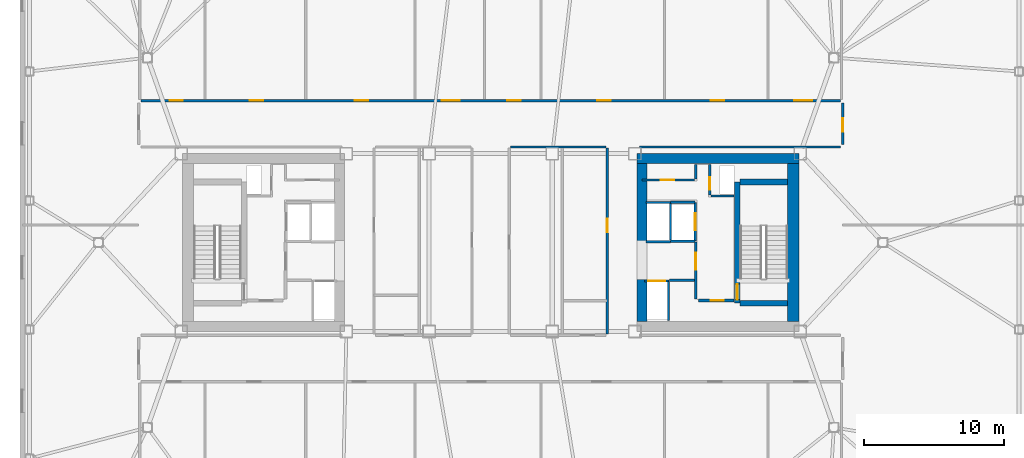
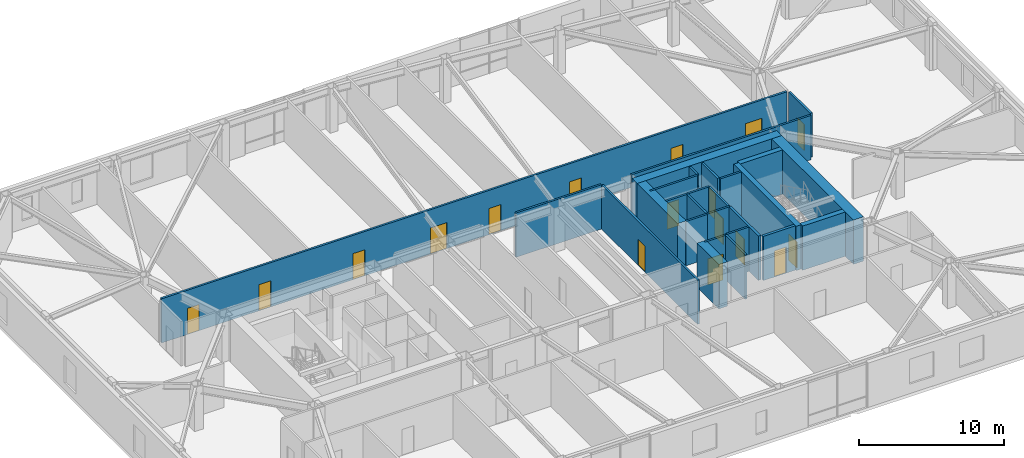
# One storey, part 12 of 18: 27 walls, 17 doors, 17 openings.
"""IFC4 building model written with IfcOpenShell, lengths in metres."""

from ifc_helpers import new_model, si_unit, direction, frame, frame_2d, origin, place, context, subcontext, project, spatial, rectangle, extrude, material, layer, layer_set, type_object, element, fill, save


model = new_model("IFC4")

# Units and contexts
model_context = context("Model", 3, precision=1e-05, world=origin(), true_north=direction((0.0, 1.0)))
body_context = subcontext(model_context, "Body", "Model", "MODEL_VIEW")
ifc_project = project(units=[si_unit("LENGTHUNIT", "METRE"), si_unit("AREAUNIT", "SQUARE_METRE"), si_unit("VOLUMEUNIT", "CUBIC_METRE"), si_unit("PLANEANGLEUNIT", "RADIAN"), si_unit("MASSUNIT", "GRAM", prefix="KILO")], contexts=[model_context])

# Site, building, storey
site_placement = place(None, origin())
site = spatial("IfcSite", under=ifc_project, at=site_placement, CompositionType="ELEMENT")
building_placement = place(site_placement, origin())
building = spatial("IfcBuilding", under=site, at=building_placement, Name="Tavrogorsk Clinical Tower", CompositionType="ELEMENT")
storey_placement = place(building_placement, frame((0.0, 0.0, 196.199951171875)))
storey = spatial("IfcBuildingStorey", under=building, at=storey_placement, Name="L45", CompositionType="ELEMENT", Elevation=196.199951171875)

# Wall, opening, door
ifc_material_1 = material(Name="Concrete B60", Category="concrete")
ifc_layer_1 = layer(ifc_material_1, 0.199951171875)
ifc_layer_set_1 = layer_set([ifc_layer_1], Name="Concrete B60")
wall_type_1 = type_object("IfcWallType", Name="CoreFireWall_200", PredefinedType="SOLIDWALL", material=ifc_layer_set_1)
wall_1_placement = place(storey_placement, frame((14.824951171875, -4.139892578125, 0.0), z_axis=(0.0, 0.0, 1.0), x_axis=(1.0, 0.0, 0.0)))
wall_1 = element("IfcWall", 1, at=wall_1_placement, inside=storey, type_object=wall_type_1, Name="L45 Core East South Core Room Fire Wall", PredefinedType="SOLIDWALL", context=body_context, shape_type="SweptSolid", body=[
    extrude(rectangle(XDim=2.554931640625, YDim=0.199951171875, at=frame_2d((1.27734375, 0.0))), origin(), (0.0, 0.0, 1.0), 3.739990234375),
])
opening_1_placement = place(wall_1_placement, frame((0.8798828125, 0.0, 0.0)))
opening_1 = element("IfcOpeningElement", 2, at=opening_1_placement, cuts=wall_1, Name="Opening ID-02", PredefinedType="OPENING", context=body_context, shape_type="SweptSolid", body=[
    extrude(rectangle(XDim=0.949951171875, YDim=2.199951171875, at=frame_2d((0.47509765625, 1.10009765625))), frame((0.0, 0.10986328125, 0.0), z_axis=(0.0, -1.0, 0.0), x_axis=(1.0, 0.0, 0.0)), (0.0, 0.0, 1.0), 0.219970703125),
])
ifc_material_2 = material(Name="Laminated timber leaf on aluminium frame", Category="wood")
door_type_1 = type_object("IfcDoorType", Name="InteriorDoor_ID02_950", OperationType="NOTDEFINED", PredefinedType="DOOR", material=ifc_material_2)
door_1_placement = place(opening_1_placement, origin())
door_1 = element("IfcDoor", 3, at=door_1_placement, inside=storey, type_object=door_type_1, Name="L45 Core East South Core Room Door", OperationType="SINGLE_SWING_RIGHT", OverallHeight=2.199951171875, OverallWidth=0.949951171875, PredefinedType="DOOR", context=body_context, shape_type="SweptSolid", body=[
    extrude(rectangle(XDim=0.949951171875, YDim=2.199951171875, at=frame_2d((0.47509765625, 1.10009765625))), frame((0.0, 0.02490234375, 0.0), z_axis=(0.0, -1.0, 0.0), x_axis=(1.0, 0.0, 0.0)), (0.0, 0.0, 1.0), 0.050048828125),
])
fill(opening_1, door_1)

wall_2_placement = place(storey_placement, frame((14.639892578125, -4.034912109375, 0.0), z_axis=(0.0, 0.0, 1.0), x_axis=(0.0, 1.0, 0.0)))
wall_2 = element("IfcWall", 4, at=wall_2_placement, inside=storey, type_object=wall_type_1, Name="L45 Core East Firefighting Lobby Fire Wall", PredefinedType="SOLIDWALL", context=body_context, shape_type="SweptSolid", body=[
    extrude(rectangle(XDim=4.074951171875, YDim=0.199951171875, at=frame_2d((2.03759765625, 0.0))), origin(), (0.0, 0.0, 1.0), 3.739990234375),
])
opening_2_placement = place(wall_2_placement, frame((2.090087890625, 0.0, 0.0)))
opening_2 = element("IfcOpeningElement", 5, at=opening_2_placement, cuts=wall_2, Name="Opening FD-01", PredefinedType="OPENING", context=body_context, shape_type="SweptSolid", body=[
    extrude(rectangle(XDim=1.199951171875, YDim=2.199951171875, at=frame_2d((0.60009765625, 1.10009765625))), frame((0.0, 0.10986328125, 0.0), z_axis=(0.0, -1.0, 0.0), x_axis=(1.0, 0.0, 0.0)), (0.0, 0.0, 1.0), 0.219970703125),
])
ifc_material_3 = material(Name="Galvanised steel fire-rated door assembly", Category="steel")
door_type_2 = type_object("IfcDoorType", Name="FireDoor_FD01_1200", OperationType="NOTDEFINED", PredefinedType="DOOR", material=ifc_material_3)
door_2_placement = place(opening_2_placement, origin())
door_2 = element("IfcDoor", 6, at=door_2_placement, inside=storey, type_object=door_type_2, Name="L45 Core East Firefighting Lobby Entry Door", OperationType="SINGLE_SWING_RIGHT", OverallHeight=2.199951171875, OverallWidth=1.199951171875, PredefinedType="DOOR", context=body_context, shape_type="SweptSolid", body=[
    extrude(rectangle(XDim=1.199951171875, YDim=2.199951171875, at=frame_2d((0.60009765625, 1.10009765625))), frame((0.0, 0.02490234375, 0.0), z_axis=(0.0, -1.0, 0.0), x_axis=(1.0, 0.0, 0.0)), (0.0, 0.0, 1.0), 0.050048828125),
])
fill(opening_2, door_2)

# Wall
ifc_material_4 = material(Name="Lightweight concrete blockwork B15", Category="masonry")
ifc_layer_2 = layer(ifc_material_4, 0.159912109375)
ifc_layer_set_2 = layer_set([ifc_layer_2], Name="Lightweight concrete blockwork B15")
wall_type_2 = type_object("IfcWallType", Name="PartitionWall_160", PredefinedType="PARTITIONING", material=ifc_layer_set_2)
wall_3_placement = place(storey_placement, frame((12.77490234375, -2.699951171875, 0.0), z_axis=(0.0, 0.0, 1.0), x_axis=(1.0, 0.0, 0.0)))
element("IfcWall", 7, at=wall_3_placement, inside=storey, type_object=wall_type_2, Name="L45 Core East Freed Low-Bank North Partition", PredefinedType="PARTITIONING", context=body_context, shape_type="SweptSolid", body=[
    extrude(rectangle(XDim=1.760009765625, YDim=0.159912109375, at=frame_2d((0.8798828125, 0.0))), origin(), (0.0, 0.0, 1.0), 3.739990234375),
])

# Wall, opening, door
wall_4_placement = place(storey_placement, frame((10.800048828125, 4.4599609375, 0.0), z_axis=(0.0, 0.0, 1.0), x_axis=(1.0, 0.0, 0.0)))
wall_4 = element("IfcWall", 8, at=wall_4_placement, inside=storey, type_object=wall_type_2, Name="L45 Core East Pneumatic Dispatch South Wall", PredefinedType="PARTITIONING", context=body_context, shape_type="SweptSolid", body=[
    extrude(rectangle(XDim=3.7548828125, YDim=0.159912109375, at=frame_2d((1.87744140625, 0.0))), origin(), (0.0, 0.0, 1.0), 3.739990234375),
])
opening_3_placement = place(wall_4_placement, frame((1.35009765625, 0.0, 0.0)))
opening_3 = element("IfcOpeningElement", 9, at=opening_3_placement, cuts=wall_4, Name="Opening ID-02", PredefinedType="OPENING", context=body_context, shape_type="SweptSolid", body=[
    extrude(rectangle(XDim=0.949951171875, YDim=2.199951171875, at=frame_2d((0.47509765625, 1.10009765625))), frame((0.0, 0.08984375, 0.0), z_axis=(0.0, -1.0, 0.0), x_axis=(1.0, 0.0, 0.0)), (0.0, 0.0, 1.0), 0.179931640625),
])
door_3_placement = place(opening_3_placement, origin())
door_3 = element("IfcDoor", 10, at=door_3_placement, inside=storey, type_object=door_type_1, Name="L45 Core East Pneumatic Dispatch Door", OperationType="SINGLE_SWING_LEFT", OverallHeight=2.199951171875, OverallWidth=0.949951171875, PredefinedType="DOOR", context=body_context, shape_type="SweptSolid", body=[
    extrude(rectangle(XDim=0.949951171875, YDim=2.199951171875, at=frame_2d((0.47509765625, 1.10009765625))), frame((0.0, 0.02490234375, 0.0), z_axis=(0.0, -1.0, 0.0), x_axis=(1.0, 0.0, 0.0)), (0.0, 0.0, 1.0), 0.050048828125),
])
fill(opening_3, door_3)

# Wall
wall_5_placement = place(storey_placement, frame((14.639892578125, 4.544921875, 0.0), z_axis=(0.0, 0.0, 1.0), x_axis=(0.0, 1.0, 0.0)))
element("IfcWall", 11, at=wall_5_placement, inside=storey, type_object=wall_type_2, Name="L45 Core East Pneumatic Dispatch East Wall", PredefinedType="PARTITIONING", context=body_context, shape_type="SweptSolid", body=[
    extrude(rectangle(XDim=1.01513671875, YDim=0.159912109375, at=frame_2d((0.507568359375, 0.0))), origin(), (0.0, 0.0, 1.0), 3.739990234375),
])

# Wall, openings, doors
wall_6_placement = place(storey_placement, frame((-24.965087890625, 10.1298828125, 0.0), z_axis=(0.0, 0.0, 1.0), x_axis=(1.0, 0.0, 0.0)))
wall_6 = element("IfcWall", 12, at=wall_6_placement, inside=storey, type_object=wall_type_2, Name="L45 Corridor Partition 05", PredefinedType="PARTITIONING", context=body_context, shape_type="SweptSolid", body=[
    extrude(rectangle(XDim=49.93017578125, YDim=0.159912109375, at=frame_2d((24.965087890625, 0.0))), origin(), (0.0, 0.0, 1.0), 3.739990234375),
])
opening_4_placement = place(wall_6_placement, frame((2.044189453125, 0.0, 0.0)))
opening_4 = element("IfcOpeningElement", 13, at=opening_4_placement, cuts=wall_6, Name="Opening ID-02", PredefinedType="OPENING", context=body_context, shape_type="SweptSolid", body=[
    extrude(rectangle(XDim=0.949951171875, YDim=2.199951171875, at=frame_2d((0.47509765625, 1.10009765625))), frame((0.0, 0.08984375, 0.0), z_axis=(0.0, -1.0, 0.0), x_axis=(1.0, 0.0, 0.0)), (0.0, 0.0, 1.0), 0.179931640625),
])
opening_5_placement = place(wall_6_placement, frame((7.77490234375, 0.0, 0.0)))
opening_5 = element("IfcOpeningElement", 14, at=opening_5_placement, cuts=wall_6, Name="Opening ID-02", PredefinedType="OPENING", context=body_context, shape_type="SweptSolid", body=[
    extrude(rectangle(XDim=0.949951171875, YDim=2.199951171875, at=frame_2d((0.47509765625, 1.10009765625))), frame((0.0, 0.08984375, 0.0), z_axis=(0.0, -1.0, 0.0), x_axis=(1.0, 0.0, 0.0)), (0.0, 0.0, 1.0), 0.179931640625),
])
opening_6_placement = place(wall_6_placement, frame((15.27490234375, 0.0, 0.0)))
opening_6 = element("IfcOpeningElement", 15, at=opening_6_placement, cuts=wall_6, Name="Opening ID-02", PredefinedType="OPENING", context=body_context, shape_type="SweptSolid", body=[
    extrude(rectangle(XDim=0.949951171875, YDim=2.199951171875, at=frame_2d((0.47509765625, 1.10009765625))), frame((0.0, 0.08984375, 0.0), z_axis=(0.0, -1.0, 0.0), x_axis=(1.0, 0.0, 0.0)), (0.0, 0.0, 1.0), 0.179931640625),
])
opening_7_placement = place(wall_6_placement, frame((21.47509765625, 0.0, 0.0)))
opening_7 = element("IfcOpeningElement", 16, at=opening_7_placement, cuts=wall_6, Name="Opening ID-01", PredefinedType="OPENING", context=body_context, shape_type="SweptSolid", body=[
    extrude(rectangle(XDim=1.300048828125, YDim=2.199951171875, at=frame_2d((0.64990234375, 1.10009765625))), frame((0.0, 0.08984375, 0.0), z_axis=(0.0, -1.0, 0.0), x_axis=(1.0, 0.0, 0.0)), (0.0, 0.0, 1.0), 0.179931640625),
])
opening_8_placement = place(wall_6_placement, frame((26.14990234375, 0.0, 0.0)))
opening_8 = element("IfcOpeningElement", 17, at=opening_8_placement, cuts=wall_6, Name="Opening ID-02", PredefinedType="OPENING", context=body_context, shape_type="SweptSolid", body=[
    extrude(rectangle(XDim=0.949951171875, YDim=2.199951171875, at=frame_2d((0.47509765625, 1.10009765625))), frame((0.0, 0.08984375, 0.0), z_axis=(0.0, -1.0, 0.0), x_axis=(1.0, 0.0, 0.0)), (0.0, 0.0, 1.0), 0.179931640625),
])
opening_9_placement = place(wall_6_placement, frame((32.574951171875, 0.0, 0.0)))
opening_9 = element("IfcOpeningElement", 18, at=opening_9_placement, cuts=wall_6, Name="Opening ID-02", PredefinedType="OPENING", context=body_context, shape_type="SweptSolid", body=[
    extrude(rectangle(XDim=0.949951171875, YDim=2.199951171875, at=frame_2d((0.47509765625, 1.10009765625))), frame((0.0, 0.08984375, 0.0), z_axis=(0.0, -1.0, 0.0), x_axis=(1.0, 0.0, 0.0)), (0.0, 0.0, 1.0), 0.179931640625),
])
opening_10_placement = place(wall_6_placement, frame((40.675048828125, 0.0, 0.0)))
opening_10 = element("IfcOpeningElement", 19, at=opening_10_placement, cuts=wall_6, Name="Opening ID-02", PredefinedType="OPENING", context=body_context, shape_type="SweptSolid", body=[
    extrude(rectangle(XDim=0.949951171875, YDim=2.199951171875, at=frame_2d((0.47509765625, 1.10009765625))), frame((0.0, 0.08984375, 0.0), z_axis=(0.0, -1.0, 0.0), x_axis=(1.0, 0.0, 0.0)), (0.0, 0.0, 1.0), 0.179931640625),
])
opening_11_placement = place(wall_6_placement, frame((46.630859375, 0.0, 0.0)))
opening_11 = element("IfcOpeningElement", 20, at=opening_11_placement, cuts=wall_6, Name="Opening ID-01", PredefinedType="OPENING", context=body_context, shape_type="SweptSolid", body=[
    extrude(rectangle(XDim=1.300048828125, YDim=2.199951171875, at=frame_2d((0.64990234375, 1.10009765625))), frame((0.0, 0.08984375, 0.0), z_axis=(0.0, -1.0, 0.0), x_axis=(1.0, 0.0, 0.0)), (0.0, 0.0, 1.0), 0.179931640625),
])
door_4_placement = place(opening_4_placement, origin())
door_4 = element("IfcDoor", 21, at=door_4_placement, inside=storey, type_object=door_type_1, Name="L45 North Clinical Examination Suite 01 Door", OperationType="SINGLE_SWING_LEFT", OverallHeight=2.199951171875, OverallWidth=0.949951171875, PredefinedType="DOOR", context=body_context, shape_type="SweptSolid", body=[
    extrude(rectangle(XDim=0.949951171875, YDim=2.199951171875, at=frame_2d((0.47509765625, 1.10009765625))), frame((0.0, 0.02490234375, 0.0), z_axis=(0.0, -1.0, 0.0), x_axis=(1.0, 0.0, 0.0)), (0.0, 0.0, 1.0), 0.050048828125),
])
fill(opening_4, door_4)
door_5_placement = place(opening_5_placement, origin())
door_5 = element("IfcDoor", 22, at=door_5_placement, inside=storey, type_object=door_type_1, Name="L45 North Diagnostic Ultrasound Suite 02 Door", OperationType="SINGLE_SWING_RIGHT", OverallHeight=2.199951171875, OverallWidth=0.949951171875, PredefinedType="DOOR", context=body_context, shape_type="SweptSolid", body=[
    extrude(rectangle(XDim=0.949951171875, YDim=2.199951171875, at=frame_2d((0.47509765625, 1.10009765625))), frame((0.0, 0.02490234375, 0.0), z_axis=(0.0, -1.0, 0.0), x_axis=(1.0, 0.0, 0.0)), (0.0, 0.0, 1.0), 0.050048828125),
])
fill(opening_5, door_5)
door_6_placement = place(opening_6_placement, origin())
door_6 = element("IfcDoor", 23, at=door_6_placement, inside=storey, type_object=door_type_1, Name="L45 North Physiotherapy Rehab Studio 03 Door", OperationType="SINGLE_SWING_LEFT", OverallHeight=2.199951171875, OverallWidth=0.949951171875, PredefinedType="DOOR", context=body_context, shape_type="SweptSolid", body=[
    extrude(rectangle(XDim=0.949951171875, YDim=2.199951171875, at=frame_2d((0.47509765625, 1.10009765625))), frame((0.0, 0.02490234375, 0.0), z_axis=(0.0, -1.0, 0.0), x_axis=(1.0, 0.0, 0.0)), (0.0, 0.0, 1.0), 0.050048828125),
])
fill(opening_6, door_6)
door_7_placement = place(opening_8_placement, origin())
door_7 = element("IfcDoor", 24, at=door_7_placement, inside=storey, type_object=door_type_1, Name="L45 North Clinical Examination Suite 04B Door", OperationType="SINGLE_SWING_LEFT", OverallHeight=2.199951171875, OverallWidth=0.949951171875, PredefinedType="DOOR", context=body_context, shape_type="SweptSolid", body=[
    extrude(rectangle(XDim=0.949951171875, YDim=2.199951171875, at=frame_2d((0.47509765625, 1.10009765625))), frame((0.0, 0.02490234375, 0.0), z_axis=(0.0, -1.0, 0.0), x_axis=(1.0, 0.0, 0.0)), (0.0, 0.0, 1.0), 0.050048828125),
])
fill(opening_8, door_7)
door_8_placement = place(opening_9_placement, origin())
door_8 = element("IfcDoor", 25, at=door_8_placement, inside=storey, type_object=door_type_1, Name="L45 North Physician Consultation Office 05 Door", OperationType="SINGLE_SWING_RIGHT", OverallHeight=2.199951171875, OverallWidth=0.949951171875, PredefinedType="DOOR", context=body_context, shape_type="SweptSolid", body=[
    extrude(rectangle(XDim=0.949951171875, YDim=2.199951171875, at=frame_2d((0.47509765625, 1.10009765625))), frame((0.0, 0.02490234375, 0.0), z_axis=(0.0, -1.0, 0.0), x_axis=(1.0, 0.0, 0.0)), (0.0, 0.0, 1.0), 0.050048828125),
])
fill(opening_9, door_8)
door_9_placement = place(opening_10_placement, origin())
door_9 = element("IfcDoor", 26, at=door_9_placement, inside=storey, type_object=door_type_1, Name="L45 North Patient & Family Quiet Lounge 06 Door", OperationType="SINGLE_SWING_LEFT", OverallHeight=2.199951171875, OverallWidth=0.949951171875, PredefinedType="DOOR", context=body_context, shape_type="SweptSolid", body=[
    extrude(rectangle(XDim=0.949951171875, YDim=2.199951171875, at=frame_2d((0.47509765625, 1.10009765625))), frame((0.0, 0.02490234375, 0.0), z_axis=(0.0, -1.0, 0.0), x_axis=(1.0, 0.0, 0.0)), (0.0, 0.0, 1.0), 0.050048828125),
])
fill(opening_10, door_9)
ifc_material_5 = material(Name="Antibacterial HPL medical leaf on aluminium frame", Category="aluminium")
door_type_3 = type_object("IfcDoorType", Name="WardBedDoor_ID01_1300", OperationType="NOTDEFINED", PredefinedType="DOOR", material=ifc_material_5)
door_10_placement = place(opening_7_placement, origin())
door_10 = element("IfcDoor", 27, at=door_10_placement, inside=storey, type_object=door_type_3, Name="L45 North Step-Down Telemetry Ward 04A Door", OperationType="SINGLE_SWING_RIGHT", OverallHeight=2.199951171875, OverallWidth=1.300048828125, PredefinedType="DOOR", context=body_context, shape_type="SweptSolid", body=[
    extrude(rectangle(XDim=1.300048828125, YDim=2.199951171875, at=frame_2d((0.64990234375, 1.10009765625))), frame((0.0, 0.02490234375, 0.0), z_axis=(0.0, -1.0, 0.0), x_axis=(1.0, 0.0, 0.0)), (0.0, 0.0, 1.0), 0.050048828125),
])
fill(opening_7, door_10)
door_11_placement = place(opening_11_placement, origin())
door_11 = element("IfcDoor", 28, at=door_11_placement, inside=storey, type_object=door_type_3, Name="L45 North Acute Isolation Suite 07 Door", OperationType="SINGLE_SWING_RIGHT", OverallHeight=2.199951171875, OverallWidth=1.300048828125, PredefinedType="DOOR", context=body_context, shape_type="SweptSolid", body=[
    extrude(rectangle(XDim=1.300048828125, YDim=2.199951171875, at=frame_2d((0.64990234375, 1.10009765625))), frame((0.0, 0.02490234375, 0.0), z_axis=(0.0, -1.0, 0.0), x_axis=(1.0, 0.0, 0.0)), (0.0, 0.0, 1.0), 0.050048828125),
])
fill(opening_11, door_11)

# Wall, opening, door
wall_7_placement = place(storey_placement, frame((25.1298828125, 9.965087890625, 0.0), z_axis=(0.0, 0.0, 1.0), x_axis=(0.0, -1.0, 0.0)))
wall_7 = element("IfcWall", 29, at=wall_7_placement, inside=storey, type_object=wall_type_2, Name="L45 Corridor Partition 06", PredefinedType="PARTITIONING", context=body_context, shape_type="SweptSolid", body=[
    extrude(rectangle(XDim=2.97998046875, YDim=0.159912109375, at=frame_2d((1.489990234375, 0.0))), origin(), (0.0, 0.0, 1.0), 3.739990234375),
])
opening_12_placement = place(wall_7_placement, frame((1.10009765625, 0.0, 0.0)))
opening_12 = element("IfcOpeningElement", 30, at=opening_12_placement, cuts=wall_7, Name="Opening ID-02", PredefinedType="OPENING", context=body_context, shape_type="SweptSolid", body=[
    extrude(rectangle(XDim=0.949951171875, YDim=2.199951171875, at=frame_2d((0.47509765625, 1.10009765625))), frame((0.0, 0.08984375, 0.0), z_axis=(0.0, -1.0, 0.0), x_axis=(1.0, 0.0, 0.0)), (0.0, 0.0, 1.0), 0.179931640625),
])
door_12_placement = place(opening_12_placement, origin())
door_12 = element("IfcDoor", 31, at=door_12_placement, inside=storey, type_object=door_type_1, Name="L45 E Multidisciplinary Seminar Suite 2 Door", OperationType="SINGLE_SWING_LEFT", OverallHeight=2.199951171875, OverallWidth=0.949951171875, PredefinedType="DOOR", context=body_context, shape_type="SweptSolid", body=[
    extrude(rectangle(XDim=0.949951171875, YDim=2.199951171875, at=frame_2d((0.47509765625, 1.10009765625))), frame((0.0, 0.02490234375, 0.0), z_axis=(0.0, -1.0, 0.0), x_axis=(1.0, 0.0, 0.0)), (0.0, 0.0, 1.0), 0.050048828125),
])
fill(opening_12, door_12)

# Walls
wall_8_placement = place(storey_placement, frame((24.965087890625, 6.820068359375, 0.0), z_axis=(0.0, 0.0, 1.0), x_axis=(-1.0, 0.0, 0.0)))
element("IfcWall", 32, at=wall_8_placement, inside=storey, type_object=wall_type_2, Name="L45 Corridor Partition 07", PredefinedType="PARTITIONING", context=body_context, shape_type="SweptSolid", body=[
    extrude(rectangle(XDim=14.335205078125, YDim=0.159912109375, at=frame_2d((7.16748046875, 0.0))), origin(), (0.0, 0.0, 1.0), 3.739990234375),
])
wall_9_placement = place(storey_placement, frame((8.235107421875, 6.820068359375, 0.0), z_axis=(0.0, 0.0, 1.0), x_axis=(-1.0, 0.0, 0.0)))
element("IfcWall", 33, at=wall_9_placement, inside=storey, type_object=wall_type_2, Name="L45 Corridor Partition 11", PredefinedType="PARTITIONING", context=body_context, shape_type="SweptSolid", body=[
    extrude(rectangle(XDim=6.820068359375, YDim=0.159912109375, at=frame_2d((3.41015625, 0.0))), origin(), (0.0, 0.0, 1.0), 3.739990234375),
])

# Wall, opening, door
wall_10_placement = place(storey_placement, frame((8.320068359375, -6.534912109375, 0.0), z_axis=(0.0, 0.0, 1.0), x_axis=(0.0, 1.0, 0.0)))
wall_10 = element("IfcWall", 34, at=wall_10_placement, inside=storey, type_object=wall_type_2, Name="L45 Corridor Partition 14", PredefinedType="PARTITIONING", context=body_context, shape_type="SweptSolid", body=[
    extrude(rectangle(XDim=13.27001953125, YDim=0.159912109375, at=frame_2d((6.635009765625, 0.0))), origin(), (0.0, 0.0, 1.0), 3.739990234375),
])
opening_13_placement = place(wall_10_placement, frame((7.285888671875, 0.0, 0.0)))
opening_13 = element("IfcOpeningElement", 35, at=opening_13_placement, cuts=wall_10, Name="Opening ID-02", PredefinedType="OPENING", context=body_context, shape_type="SweptSolid", body=[
    extrude(rectangle(XDim=0.949951171875, YDim=2.199951171875, at=frame_2d((0.47509765625, 1.10009765625))), frame((0.0, 0.08984375, 0.0), z_axis=(0.0, -1.0, 0.0), x_axis=(1.0, 0.0, 0.0)), (0.0, 0.0, 1.0), 0.179931640625),
])
door_13_placement = place(opening_13_placement, origin())
door_13 = element("IfcDoor", 36, at=door_13_placement, inside=storey, type_object=door_type_1, Name="L45 Resident Clinician Study Door", OperationType="SINGLE_SWING_LEFT", OverallHeight=2.199951171875, OverallWidth=0.949951171875, PredefinedType="DOOR", context=body_context, shape_type="SweptSolid", body=[
    extrude(rectangle(XDim=0.949951171875, YDim=2.199951171875, at=frame_2d((0.47509765625, 1.10009765625))), frame((0.0, 0.02490234375, 0.0), z_axis=(0.0, -1.0, 0.0), x_axis=(1.0, 0.0, 0.0)), (0.0, 0.0, 1.0), 0.050048828125),
])
fill(opening_13, door_13)

ifc_material_6 = material(Name="Lightweight concrete blockwork B25", Category="masonry")
ifc_layer_3 = layer(ifc_material_6, 0.159912109375)
ifc_layer_set_3 = layer_set([ifc_layer_3], Name="Lightweight concrete blockwork B25")
wall_type_3 = type_object("IfcWallType", Name="ShaftWall_160", PredefinedType="PARTITIONING", material=ifc_layer_set_3)
wall_11_placement = place(storey_placement, frame((14.60009765625, 0.1201171875, 0.0), z_axis=(0.0, 0.0, 1.0), x_axis=(0.0, 1.0, 0.0)))
wall_11 = element("IfcWall", 37, at=wall_11_placement, inside=storey, type_object=wall_type_3, Name="L45 FFL-E Firefighting Lift Front Wall", PredefinedType="PARTITIONING", context=body_context, shape_type="SweptSolid", body=[
    extrude(rectangle(XDim=2.739990234375, YDim=0.159912109375, at=frame_2d((1.3701171875, 0.0))), origin(), (0.0, 0.0, 1.0), 3.739990234375),
])
opening_14_placement = place(wall_11_placement, frame((0.77001953125, 0.0, 0.0)))
opening_14 = element("IfcOpeningElement", 38, at=opening_14_placement, cuts=wall_11, Name="Opening LD", PredefinedType="OPENING", context=body_context, shape_type="SweptSolid", body=[
    extrude(rectangle(XDim=1.199951171875, YDim=2.199951171875, at=frame_2d((0.60009765625, 1.10009765625))), frame((0.0, 0.08984375, 0.0), z_axis=(0.0, -1.0, 0.0), x_axis=(1.0, 0.0, 0.0)), (0.0, 0.0, 1.0), 0.179931640625),
])
ifc_material_7 = material(Name="Brushed stainless steel AISI 304 sliding doors", Category="steel")
door_type_4 = type_object("IfcDoorType", Name="LiftLandingDoor_LD_1200", OperationType="SLIDING_TO_LEFT", PredefinedType="DOOR", material=ifc_material_7)
door_14_placement = place(opening_14_placement, origin())
door_14 = element("IfcDoor", 39, at=door_14_placement, inside=storey, type_object=door_type_4, Name="L45 FFL-E Sliding Lift Landing Door", OperationType="SLIDING_TO_LEFT", OverallHeight=2.199951171875, OverallWidth=1.199951171875, PredefinedType="DOOR", context=body_context, shape_type="SweptSolid", body=[
    extrude(rectangle(XDim=1.199951171875, YDim=2.199951171875, at=frame_2d((0.60009765625, 1.10009765625))), frame((0.0, 0.02490234375, 0.0), z_axis=(0.0, -1.0, 0.0), x_axis=(1.0, 0.0, 0.0)), (0.0, 0.0, 1.0), 0.050048828125),
])
fill(opening_14, door_14)

# Walls
for number, where, z_axis, x_axis, name in (
    (40, (12.840087890625, 0.10009765625, 0.0), (0.0, 0.0, 1.0), (1.0, 0.0, 0.0), "L45 FFL-E Shaft South Wall"),
    (41, (12.840087890625, 2.8798828125, 0.0), (0.0, 0.0, 1.0), (1.0, 0.0, 0.0), "L45 FFL-E Shaft North Wall"),
):
    element("IfcWall", number, at=place(storey_placement, frame(where, z_axis=z_axis, x_axis=x_axis)), inside=storey, type_object=wall_type_3, Name=name, PredefinedType="PARTITIONING", context=body_context, shape_type="SweptSolid", body=[
        extrude(rectangle(XDim=1.760009765625, YDim=0.159912109375, at=frame_2d((0.8798828125, 0.0))), origin(), (0.0, 0.0, 1.0), 3.739990234375),
    ])
wall_12_placement = place(storey_placement, frame((12.840087890625, 0.179931640625, 0.0), z_axis=(0.0, 0.0, 1.0), x_axis=(0.0, 1.0, 0.0)))
element("IfcWall", 42, at=wall_12_placement, inside=storey, type_object=wall_type_3, Name="L45 FFL-E Shaft Back Wall", PredefinedType="PARTITIONING", context=body_context, shape_type="SweptSolid", body=[
    extrude(rectangle(XDim=2.6201171875, YDim=0.159912109375, at=frame_2d((1.31005859375, 0.0))), origin(), (0.0, 0.0, 1.0), 3.739990234375),
])

# Wall, opening, door
wall_13_placement = place(storey_placement, frame((10.969970703125, -2.75, 0.0), z_axis=(0.0, 0.0, 1.0), x_axis=(1.0, 0.0, 0.0)))
wall_13 = element("IfcWall", 43, at=wall_13_placement, inside=storey, type_object=wall_type_3, Name="L45 LP-M2 Lift Shaft Portal Wall", PredefinedType="PARTITIONING", context=body_context, shape_type="SweptSolid", body=[
    extrude(rectangle(XDim=1.760009765625, YDim=0.159912109375, at=frame_2d((0.8798828125, 0.0))), origin(), (0.0, 0.0, 1.0), 3.739990234375),
])
opening_15_placement = place(wall_13_placement, frame((0.280029296875, 0.0, 0.0)))
opening_15 = element("IfcOpeningElement", 44, at=opening_15_placement, cuts=wall_13, Name="Opening LD", PredefinedType="OPENING", context=body_context, shape_type="SweptSolid", body=[
    extrude(rectangle(XDim=1.199951171875, YDim=2.199951171875, at=frame_2d((0.60009765625, 1.10009765625))), frame((0.0, 0.08984375, 0.0), z_axis=(0.0, -1.0, 0.0), x_axis=(1.0, 0.0, 0.0)), (0.0, 0.0, 1.0), 0.179931640625),
])
door_15_placement = place(opening_15_placement, origin())
door_15 = element("IfcDoor", 45, at=door_15_placement, inside=storey, type_object=door_type_4, Name="L45 LP-M2 Sliding Lift Landing Door", OperationType="SLIDING_TO_LEFT", OverallHeight=2.199951171875, OverallWidth=1.199951171875, PredefinedType="DOOR", context=body_context, shape_type="SweptSolid", body=[
    extrude(rectangle(XDim=1.199951171875, YDim=2.199951171875, at=frame_2d((0.60009765625, 1.10009765625))), frame((0.0, 0.02490234375, 0.0), z_axis=(0.0, -1.0, 0.0), x_axis=(1.0, 0.0, 0.0)), (0.0, 0.0, 1.0), 0.050048828125),
])
fill(opening_15, door_15)

# Walls
for number, where, z_axis, x_axis, name in (
    (46, (11.10009765625, 0.06005859375, 0.0), (0.0, 0.0, 1.0), (1.0, 0.0, 0.0), "L45 LP-H2 High-Zone Lift Portal Wall"),
    (47, (11.10009765625, 2.860107421875, 0.0), (0.0, 0.0, 1.0), (1.0, 0.0, 0.0), "L45 LP-H2 High-Zone Lift Rear Wall"),
):
    element("IfcWall", number, at=place(storey_placement, frame(where, z_axis=z_axis, x_axis=x_axis)), inside=storey, type_object=wall_type_3, Name=name, PredefinedType="PARTITIONING", context=body_context, shape_type="SweptSolid", body=[
        extrude(rectangle(XDim=1.719970703125, YDim=0.159912109375, at=frame_2d((0.85986328125, 0.0))), origin(), (0.0, 0.0, 1.0), 3.739990234375),
    ])

# Wall, opening, door
wall_14_placement = place(storey_placement, frame((15.639892578125, 3.405029296875, 0.0), z_axis=(0.0, 0.0, 1.0), x_axis=(0.0, 1.0, 0.0)))
wall_14 = element("IfcWall", 48, at=wall_14_placement, inside=storey, type_object=wall_type_3, Name="L45 Core East Riser West Wall", PredefinedType="PARTITIONING", context=body_context, shape_type="SweptSolid", body=[
    extrude(rectangle(XDim=2.155029296875, YDim=0.159912109375, at=frame_2d((1.07763671875, 0.0))), origin(), (0.0, 0.0, 1.0), 3.739990234375),
])
opening_16_placement = place(wall_14_placement, frame((0.35009765625, 0.0, 0.0)))
opening_16 = element("IfcOpeningElement", 49, at=opening_16_placement, cuts=wall_14, Name="Opening FD-02", PredefinedType="OPENING", context=body_context, shape_type="SweptSolid", body=[
    extrude(rectangle(XDim=0.89990234375, YDim=2.199951171875, at=frame_2d((0.449951171875, 1.10009765625))), frame((0.0, 0.08984375, 0.0), z_axis=(0.0, -1.0, 0.0), x_axis=(1.0, 0.0, 0.0)), (0.0, 0.0, 1.0), 0.179931640625),
])
ifc_material_8 = material(Name="Galvanised steel fire-rated door assembly", Category="steel")
door_type_5 = type_object("IfcDoorType", Name="FireDoor_FD02_900", OperationType="NOTDEFINED", PredefinedType="DOOR", material=ifc_material_8)
door_16_placement = place(opening_16_placement, origin())
door_16 = element("IfcDoor", 50, at=door_16_placement, inside=storey, type_object=door_type_5, Name="L45 Core East Electrical Riser Access Door", OperationType="SINGLE_SWING_LEFT", OverallHeight=2.199951171875, OverallWidth=0.89990234375, PredefinedType="DOOR", context=body_context, shape_type="SweptSolid", body=[
    extrude(rectangle(XDim=0.89990234375, YDim=2.199951171875, at=frame_2d((0.449951171875, 1.10009765625))), frame((0.0, 0.02490234375, 0.0), z_axis=(0.0, -1.0, 0.0), x_axis=(1.0, 0.0, 0.0)), (0.0, 0.0, 1.0), 0.050048828125),
])
fill(opening_16, door_16)

# Walls
wall_15_placement = place(storey_placement, frame((15.72509765625, 3.320068359375, 0.0), z_axis=(0.0, 0.0, 1.0), x_axis=(1.0, 0.0, 0.0)))
element("IfcWall", 51, at=wall_15_placement, inside=storey, type_object=wall_type_3, Name="L45 Core East Riser South Wall", PredefinedType="PARTITIONING", context=body_context, shape_type="SweptSolid", body=[
    extrude(rectangle(XDim=1.65478515625, YDim=0.159912109375, at=frame_2d((0.827392578125, 0.0))), origin(), (0.0, 0.0, 1.0), 3.739990234375),
])
wall_16_placement = place(storey_placement, frame((12.68994140625, -5.56005859375, 0.0), z_axis=(0.0, 0.0, 1.0), x_axis=(0.0, 1.0, 0.0)))
element("IfcWall", 52, at=wall_16_placement, inside=storey, type_object=wall_type_3, Name="L45 Core East Freed Low-Bank Shaft Divider", PredefinedType="PARTITIONING", context=body_context, shape_type="SweptSolid", body=[
    extrude(rectangle(XDim=2.775146484375, YDim=0.159912109375, at=frame_2d((1.3876953125, 0.0))), origin(), (0.0, 0.0, 1.0), 3.739990234375),
])

# Wall, opening, door
ifc_material_9 = material(Name="Concrete B80", Category="concrete")
ifc_layer_4 = layer(ifc_material_9, 0.39990234375)
ifc_layer_set_4 = layer_set([ifc_layer_4], Name="Concrete B80")
wall_type_4 = type_object("IfcWallType", Name="ShearWall_400", PredefinedType="SHEAR", material=ifc_layer_set_4)
wall_17_placement = place(storey_placement, frame((17.60009765625, -4.324951171875, 0.0), z_axis=(0.0, 0.0, 1.0), x_axis=(0.0, 1.0, 0.0)))
wall_17 = element("IfcWall", 53, at=wall_17_placement, inside=storey, type_object=wall_type_4, Name="L45 Core East Stair Shaft Inner Shear Wall", PredefinedType="SHEAR", context=body_context, shape_type="SweptSolid", body=[
    extrude(rectangle(XDim=8.64990234375, YDim=0.39990234375, at=frame_2d((4.324951171875, 0.0))), origin(), (0.0, 0.0, 1.0), 3.739990234375),
])
opening_17_placement = place(wall_17_placement, frame((0.25, 0.0, 0.0)))
opening_17 = element("IfcOpeningElement", 54, at=opening_17_placement, cuts=wall_17, Name="Opening SD-01", PredefinedType="OPENING", context=body_context, shape_type="SweptSolid", body=[
    extrude(rectangle(XDim=1.10009765625, YDim=2.199951171875, at=frame_2d((0.550048828125, 1.10009765625))), frame((0.0, 0.2099609375, 0.0), z_axis=(0.0, -1.0, 0.0), x_axis=(1.0, 0.0, 0.0)), (0.0, 0.0, 1.0), 0.419921875),
])
ifc_material_10 = material(Name="Galvanised steel smoke-tight fire door assembly", Category="steel")
door_type_6 = type_object("IfcDoorType", Name="StairFireDoor_SD01_1100", OperationType="NOTDEFINED", PredefinedType="DOOR", material=ifc_material_10)
door_17_placement = place(opening_17_placement, origin())
door_17 = element("IfcDoor", 55, at=door_17_placement, inside=storey, type_object=door_type_6, Name="L45 ST-E Exit Stair Door", OperationType="SINGLE_SWING_RIGHT", OverallHeight=2.199951171875, OverallWidth=1.10009765625, PredefinedType="DOOR", context=body_context, shape_type="SweptSolid", body=[
    extrude(rectangle(XDim=1.10009765625, YDim=2.199951171875, at=frame_2d((0.550048828125, 1.10009765625))), frame((0.0, 0.02490234375, 0.0), z_axis=(0.0, -1.0, 0.0), x_axis=(1.0, 0.0, 0.0)), (0.0, 0.0, 1.0), 0.050048828125),
])
fill(opening_17, door_17)

# Walls
for number, where, z_axis, x_axis, name in (
    (56, (17.800048828125, -4.324951171875, 0.0), (0.0, 0.0, 1.0), (1.0, 0.0, 0.0), "L45 Core East Stair Shaft South Shear Wall"),
    (57, (17.800048828125, 4.324951171875, 0.0), (0.0, 0.0, 1.0), (1.0, 0.0, 0.0), "L45 Core East Stair Shaft North Shear Wall"),
):
    element("IfcWall", number, at=place(storey_placement, frame(where, z_axis=z_axis, x_axis=x_axis)), inside=storey, type_object=wall_type_4, Name=name, PredefinedType="SHEAR", context=body_context, shape_type="SweptSolid", body=[
        extrude(rectangle(XDim=3.39990234375, YDim=0.39990234375, at=frame_2d((1.699951171875, 0.0))), origin(), (0.0, 0.0, 1.0), 3.739990234375),
    ])
ifc_material_11 = material(Name="Concrete B80", Category="concrete")
ifc_layer_5 = layer(ifc_material_11, 0.699951171875)
ifc_layer_set_5 = layer_set([ifc_layer_5], Name="Concrete B80")
wall_type_5 = type_object("IfcWallType", Name="ShearWall_700", PredefinedType="SHEAR", material=ifc_layer_set_5)
wall_18_placement = place(storey_placement, frame((10.449951171875, 6.0, 0.0), z_axis=(0.0, 0.0, 1.0), x_axis=(1.0, 0.0, 0.0)))
element("IfcWall", 58, at=wall_18_placement, inside=storey, type_object=wall_type_5, Name="L45 Core East North Shear Wall", PredefinedType="SHEAR", context=body_context, shape_type="SweptSolid", body=[
    extrude(rectangle(XDim=11.550048828125, YDim=0.699951171875, at=frame_2d((5.77490234375, 0.0))), origin(), (0.0, 0.0, 1.0), 3.739990234375),
])
wall_19_placement = place(storey_placement, frame((10.800048828125, -5.64990234375, 0.0), z_axis=(0.0, 0.0, 1.0), x_axis=(0.0, 1.0, 0.0)))
element("IfcWall", 59, at=wall_19_placement, inside=storey, type_object=wall_type_5, Name="L45 Core East Inner South Pier", PredefinedType="SHEAR", context=body_context, shape_type="SweptSolid", body=[
    extrude(rectangle(XDim=3.0, YDim=0.699951171875, at=frame_2d((1.5, 0.0))), origin(), (0.0, 0.0, 1.0), 3.739990234375),
])
wall_20_placement = place(storey_placement, frame((10.800048828125, 0.050048828125, 0.0), z_axis=(0.0, 0.0, 1.0), x_axis=(0.0, 1.0, 0.0)))
element("IfcWall", 60, at=wall_20_placement, inside=storey, type_object=wall_type_5, Name="L45 Core East Inner North Pier", PredefinedType="SHEAR", context=body_context, shape_type="SweptSolid", body=[
    extrude(rectangle(XDim=5.599853515625, YDim=0.699951171875, at=frame_2d((2.7998046875, 0.0))), origin(), (0.0, 0.0, 1.0), 3.739990234375),
])
ifc_material_12 = material(Name="Concrete B80", Category="concrete")
ifc_layer_6 = layer(ifc_material_12, 0.800048828125)
ifc_layer_set_6 = layer_set([ifc_layer_6], Name="Concrete B80")
wall_type_6 = type_object("IfcWallType", Name="ShearWall_800", PredefinedType="SHEAR", material=ifc_layer_set_6)
wall_21_placement = place(storey_placement, frame((21.60009765625, -5.64990234375, 0.0), z_axis=(0.0, 0.0, 1.0), x_axis=(0.0, 1.0, 0.0)))
element("IfcWall", 61, at=wall_21_placement, inside=storey, type_object=wall_type_6, Name="L45 Core East End Shear Wall", PredefinedType="SHEAR", context=body_context, shape_type="SweptSolid", body=[
    extrude(rectangle(XDim=11.2998046875, YDim=0.800048828125, at=frame_2d((5.64990234375, 0.0))), origin(), (0.0, 0.0, 1.0), 3.739990234375),
])

save(model, "model.ifc")
